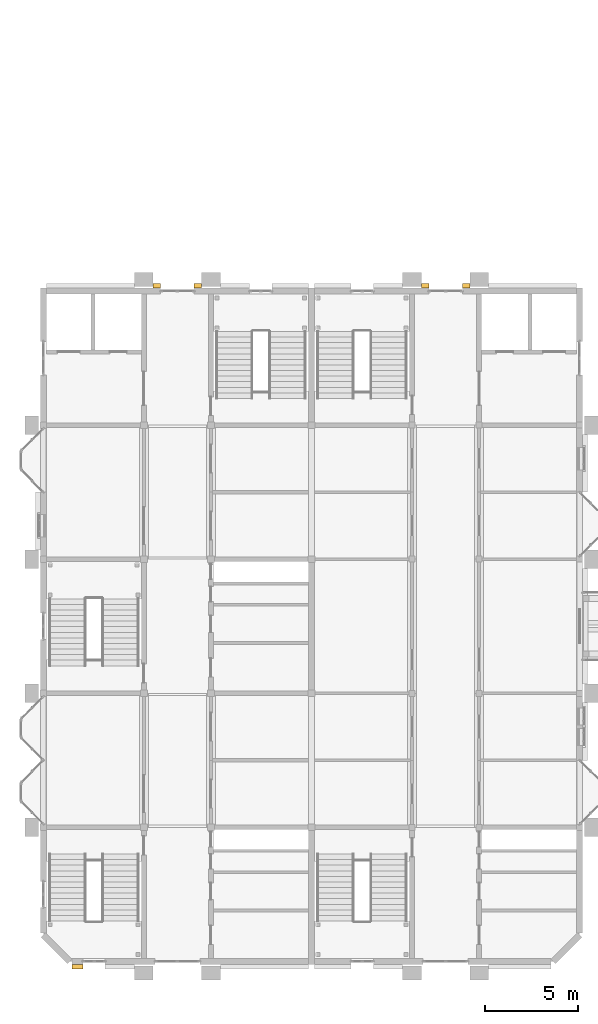
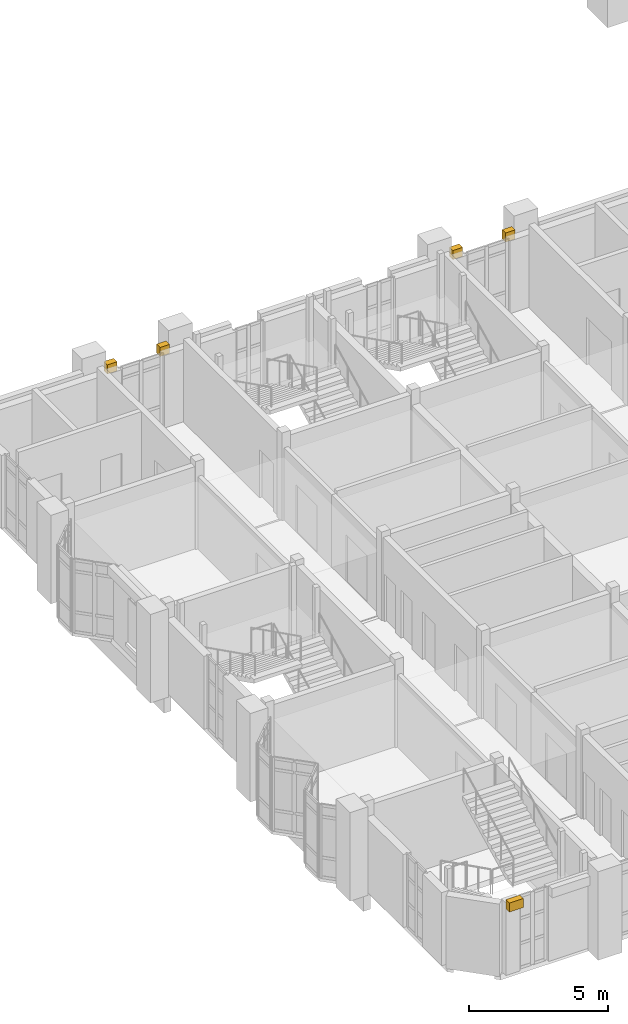
# One storey, part 67 of 69: 5 coverings.
"""IFC4 building model written with IfcOpenShell, lengths in metres."""

from ifc_helpers import new_model, si_unit, direction, frame, origin, place, context, subcontext, project, spatial, polyline, outline, extrude, material, layer, layer_set, type_object, element, save


model = new_model("IFC4")

# Units and contexts
model_context = context("Model", 3, precision=1e-05, world=origin(), true_north=direction((0.0, 1.0)))
body_context = subcontext(model_context, "Body", "Model", "MODEL_VIEW")
ifc_project = project(units=[si_unit("LENGTHUNIT", "METRE"), si_unit("AREAUNIT", "SQUARE_METRE"), si_unit("VOLUMEUNIT", "CUBIC_METRE"), si_unit("PLANEANGLEUNIT", "RADIAN"), si_unit("MASSUNIT", "GRAM", prefix="KILO")], contexts=[model_context])

# Site, building, storey
site_placement = place(None, origin())
site = spatial("IfcSite", under=ifc_project, at=site_placement, CompositionType="ELEMENT")
building_placement = place(site_placement, origin())
building = spatial("IfcBuilding", under=site, at=building_placement, Name="Mazhai Court Health Centre", CompositionType="ELEMENT")
storey_placement = place(building_placement, frame((0.0, 0.0, 6.300048828125)))
storey = spatial("IfcBuildingStorey", under=building, at=storey_placement, Name="L01", CompositionType="ELEMENT", Elevation=6.300048828125)

# Coverings
ifc_material = material(Name="Clay brick masonry", Category="masonry")
ifc_layer = layer(ifc_material, 0.25)
ifc_layer_set = layer_set([ifc_layer], Name="BRICK BAND 250")
covering_type = type_object("IfcCoveringType", Name="BRICK BAND 250", PredefinedType="MOLDING", material=ifc_layer_set)
covering_1_placement = place(storey_placement, frame((0.0, 0.0, 2.949951171875)))
element("IfcCovering", 1, at=covering_1_placement, inside=storey, type_object=covering_type, Name="EB-V2-L01-Sp0-0", PredefinedType="MOLDING", context=body_context, shape_type="SweptSolid", body=[
    extrude(outline(polyline([(8.320068359375, 6.034912109375), (7.73095703125, 6.034912109375), (7.73095703125, 5.784912109375), (8.320068359375, 5.784912109375), (8.320068359375, 6.034912109375)])), origin(), (0.0, 0.0, 1.0), 0.39990234375),
])
covering_2_placement = place(storey_placement, frame((0.0, 0.0, 2.949951171875)))
element("IfcCovering", 2, at=covering_2_placement, inside=storey, type_object=covering_type, Name="EB-V2-L01-Ep0-1", PredefinedType="MOLDING", context=body_context, shape_type="SweptSolid", body=[
    extrude(outline(polyline([(12.10009765625, 42.364990234375), (12.5, 42.364990234375), (12.5, 42.614990234375), (12.10009765625, 42.614990234375), (12.10009765625, 42.364990234375)])), origin(), (0.0, 0.0, 1.0), 0.39990234375),
])
covering_3_placement = place(storey_placement, frame((0.0, 0.0, 2.949951171875)))
element("IfcCovering", 3, at=covering_3_placement, inside=storey, type_object=covering_type, Name="EB-V2-L01-Ep1-0", PredefinedType="MOLDING", context=body_context, shape_type="SweptSolid", body=[
    extrude(outline(polyline([(14.300048828125, 42.364990234375), (14.699951171875, 42.364990234375), (14.699951171875, 42.614990234375), (14.300048828125, 42.614990234375), (14.300048828125, 42.364990234375)])), origin(), (0.0, 0.0, 1.0), 0.39990234375),
])
covering_4_placement = place(storey_placement, frame((0.0, 0.0, 2.949951171875)))
element("IfcCovering", 4, at=covering_4_placement, inside=storey, type_object=covering_type, Name="EB-V5-L01-Ep1-1", PredefinedType="MOLDING", context=body_context, shape_type="SweptSolid", body=[
    extrude(outline(polyline([(26.5, 42.364990234375), (26.89990234375, 42.364990234375), (26.89990234375, 42.614990234375), (26.5, 42.614990234375), (26.5, 42.364990234375)])), origin(), (0.0, 0.0, 1.0), 0.39990234375),
])
covering_5_placement = place(storey_placement, frame((0.0, 0.0, 2.949951171875)))
element("IfcCovering", 5, at=covering_5_placement, inside=storey, type_object=covering_type, Name="EB-V5-L01-Ep2-0", PredefinedType="MOLDING", context=body_context, shape_type="SweptSolid", body=[
    extrude(outline(polyline([(28.699951171875, 42.364990234375), (29.10009765625, 42.364990234375), (29.10009765625, 42.614990234375), (28.699951171875, 42.614990234375), (28.699951171875, 42.364990234375)])), origin(), (0.0, 0.0, 1.0), 0.39990234375),
])

save(model, "model.ifc")
